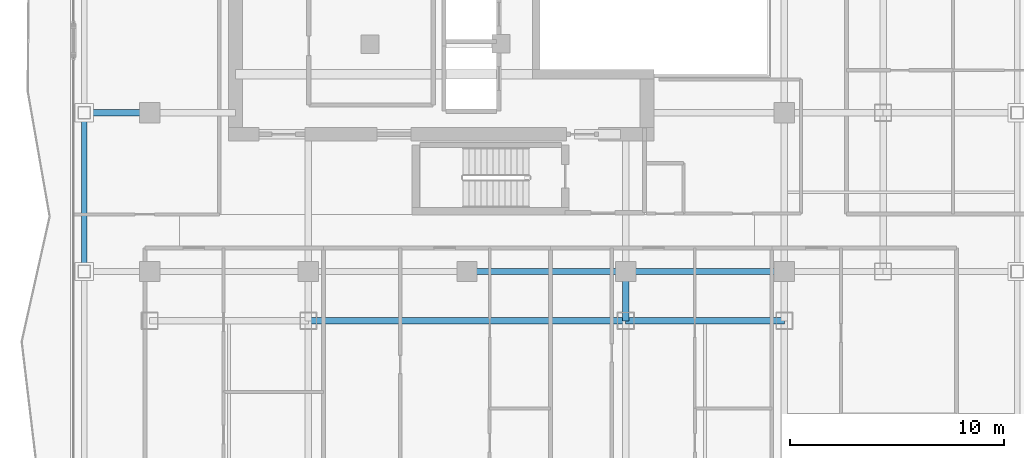
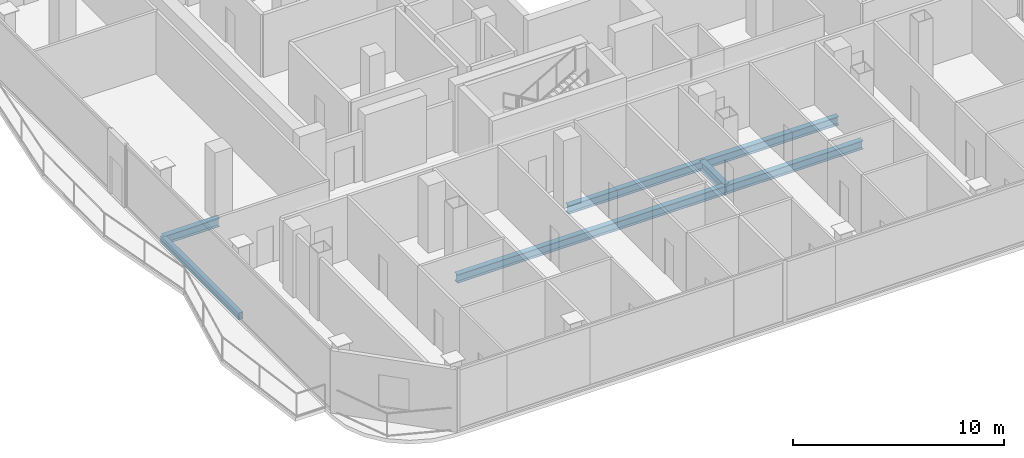
# One storey, part 5 of 26: 7 beams.
"""IFC4 building model written with IfcOpenShell, lengths in metres."""

from ifc_helpers import new_model, si_unit, direction, frame, origin, origin_2d, place, context, subcontext, project, spatial, hollow_rectangle, i_section, extrude, material, material_profile, profile_set, type_object, element, save


model = new_model("IFC4")

# Units and contexts
model_context = context("Model", 3, precision=1e-05, world=origin(), true_north=direction((0.0, 1.0)))
body_context = subcontext(model_context, "Body", "Model", "MODEL_VIEW")
ifc_project = project(units=[si_unit("LENGTHUNIT", "METRE"), si_unit("AREAUNIT", "SQUARE_METRE"), si_unit("VOLUMEUNIT", "CUBIC_METRE"), si_unit("PLANEANGLEUNIT", "RADIAN"), si_unit("MASSUNIT", "GRAM", prefix="KILO")], contexts=[model_context])

# Site, building, storey
site_placement = place(None, origin())
site = spatial("IfcSite", under=ifc_project, at=site_placement, CompositionType="ELEMENT")
building_placement = place(site_placement, origin())
building = spatial("IfcBuilding", under=site, at=building_placement, Name="Khorvyn Point Tower", CompositionType="ELEMENT")
storey_placement = place(building_placement, frame((0.0, 0.0, 250.800048828125)))
storey = spatial("IfcBuildingStorey", under=building, at=storey_placement, Name="L61", CompositionType="ELEMENT", Elevation=250.800048828125)

# Beams
ifc_material = material(Name="Steel S355", Category="steel")
ifc_material_profile_1 = material_profile(ifc_material, i_section(OverallWidth=0.300048828125, OverallDepth=0.488037109375, WebThickness=0.010986328125, FlangeThickness=0.01806640625, at=origin_2d()))
ifc_profile_set_1 = profile_set([ifc_material_profile_1], Name="Steel S355 H488x300x11x18")
beam_type_1 = type_object("IfcBeamType", Name="Steel S355 Spandrel H488x300x11x18", PredefinedType="SPANDREL", material=ifc_profile_set_1)
beam_1_placement = place(storey_placement, frame((0.0, -14.800048828125, -0.464111328125), z_axis=(1.0, 0.0, 0.0), x_axis=(0.0, 1.0, 0.0)))
element("IfcBeam", 1, at=beam_1_placement, inside=storey, type_object=beam_type_1, Name="Beam", PredefinedType="SPANDREL", context=body_context, shape_type="SweptSolid", body=[
    extrude(i_section(OverallWidth=0.300048828125, OverallDepth=0.488037109375, WebThickness=0.010986328125, FlangeThickness=0.01806640625, at=origin_2d()), origin(), (0.0, 0.0, 1.0), 7.39990234375),
])
beam_2_placement = place(storey_placement, frame((7.39990234375, -14.800048828125, -0.464111328125), z_axis=(1.0, 0.0, 0.0), x_axis=(0.0, 1.0, 0.0)))
element("IfcBeam", 2, at=beam_2_placement, inside=storey, type_object=beam_type_1, Name="Beam", PredefinedType="SPANDREL", context=body_context, shape_type="SweptSolid", body=[
    extrude(i_section(OverallWidth=0.300048828125, OverallDepth=0.488037109375, WebThickness=0.010986328125, FlangeThickness=0.01806640625, at=origin_2d()), origin(), (0.0, 0.0, 1.0), 7.400146484375),
])
beam_3_placement = place(storey_placement, frame((-17.85009765625, -7.39990234375, -0.464111328125), z_axis=(1.0, 0.0, 0.0), x_axis=(0.0, 1.0, 0.0)))
element("IfcBeam", 3, at=beam_3_placement, inside=storey, type_object=beam_type_1, Name="Beam", PredefinedType="SPANDREL", context=body_context, shape_type="SweptSolid", body=[
    extrude(i_section(OverallWidth=0.300048828125, OverallDepth=0.488037109375, WebThickness=0.010986328125, FlangeThickness=0.01806640625, at=origin_2d()), origin(), (0.0, 0.0, 1.0), 3.050048828125),
])
beam_4_placement = place(storey_placement, frame((-7.39990234375, -17.10009765625, -0.464111328125), z_axis=(1.0, 0.0, 0.0), x_axis=(0.0, 1.0, 0.0)))
element("IfcBeam", 4, at=beam_4_placement, inside=storey, type_object=beam_type_1, Name="Beam", PredefinedType="SPANDREL", context=body_context, shape_type="SweptSolid", body=[
    extrude(i_section(OverallWidth=0.300048828125, OverallDepth=0.488037109375, WebThickness=0.010986328125, FlangeThickness=0.01806640625, at=origin_2d()), origin(), (0.0, 0.0, 1.0), 14.7998046875),
])
beam_5_placement = place(storey_placement, frame((7.39990234375, -17.10009765625, -0.464111328125), z_axis=(1.0, 0.0, 0.0), x_axis=(0.0, 1.0, 0.0)))
element("IfcBeam", 5, at=beam_5_placement, inside=storey, type_object=beam_type_1, Name="Beam", PredefinedType="SPANDREL", context=body_context, shape_type="SweptSolid", body=[
    extrude(i_section(OverallWidth=0.300048828125, OverallDepth=0.488037109375, WebThickness=0.010986328125, FlangeThickness=0.01806640625, at=origin_2d()), origin(), (0.0, 0.0, 1.0), 7.400146484375),
])
beam_6_placement = place(storey_placement, frame((7.39990234375, -17.10009765625, -0.464111328125), z_axis=(0.0, 1.0, 0.0), x_axis=(-1.0, 0.0, 0.0)))
element("IfcBeam", 6, at=beam_6_placement, inside=storey, type_object=beam_type_1, Name="Beam", PredefinedType="SPANDREL", context=body_context, shape_type="SweptSolid", body=[
    extrude(i_section(OverallWidth=0.300048828125, OverallDepth=0.488037109375, WebThickness=0.010986328125, FlangeThickness=0.01806640625, at=origin_2d()), origin(), (0.0, 0.0, 1.0), 2.300048828125),
])
ifc_material_profile_2 = material_profile(ifc_material, hollow_rectangle(XDim=0.25, YDim=0.39990234375, WallThickness=0.01611328125, at=origin_2d()))
ifc_profile_set_2 = profile_set([ifc_material_profile_2], Name="Steel S355 RHS400x250x16")
beam_type_2 = type_object("IfcBeamType", Name="Steel S355 Spandrel RHS400x250x16", PredefinedType="SPANDREL", material=ifc_profile_set_2)
beam_7_placement = place(storey_placement, frame((-17.85009765625, -14.800048828125, -0.420166015625), z_axis=(0.0, 1.0, 0.0), x_axis=(-1.0, 0.0, 0.0)))
element("IfcBeam", 7, at=beam_7_placement, inside=storey, type_object=beam_type_2, Name="Beam", PredefinedType="SPANDREL", context=body_context, shape_type="SweptSolid", body=[
    extrude(hollow_rectangle(XDim=0.25, YDim=0.39990234375, WallThickness=0.01611328125, at=origin_2d()), origin(), (0.0, 0.0, 1.0), 7.400146484375),
])

save(model, "model.ifc")
